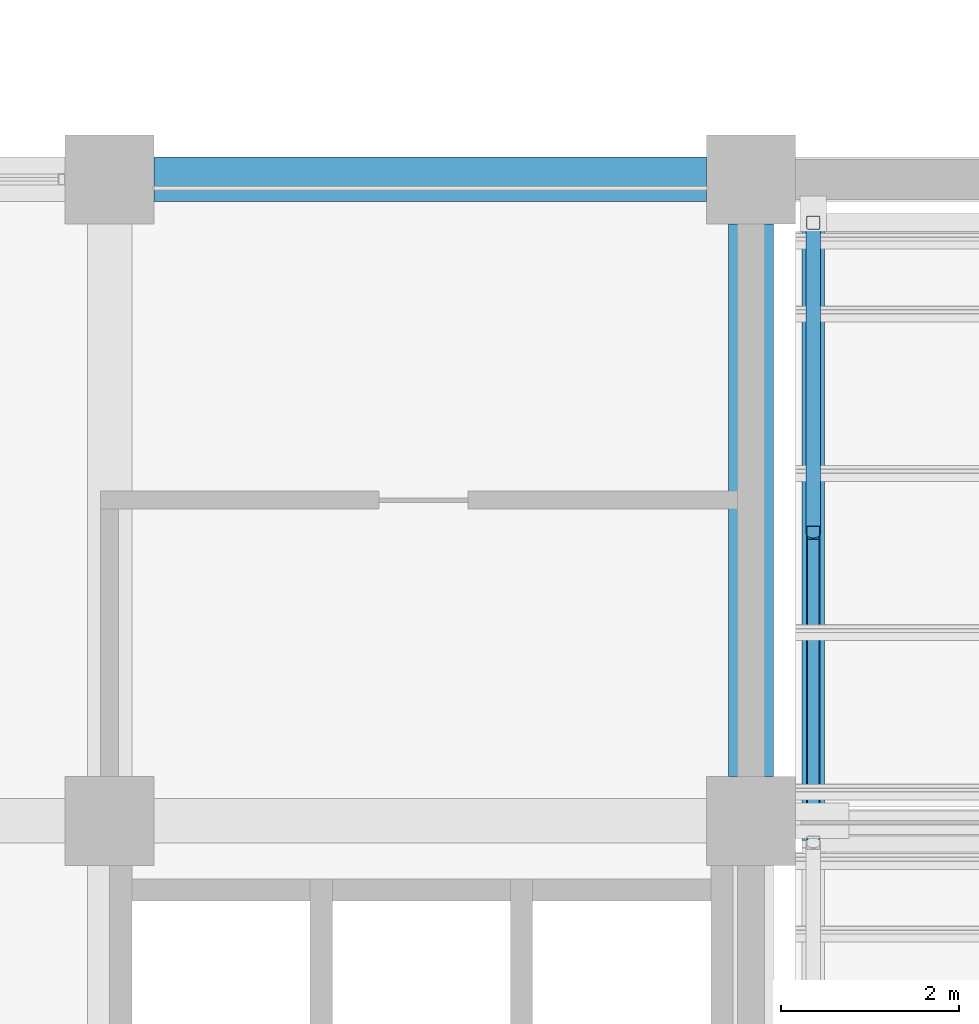
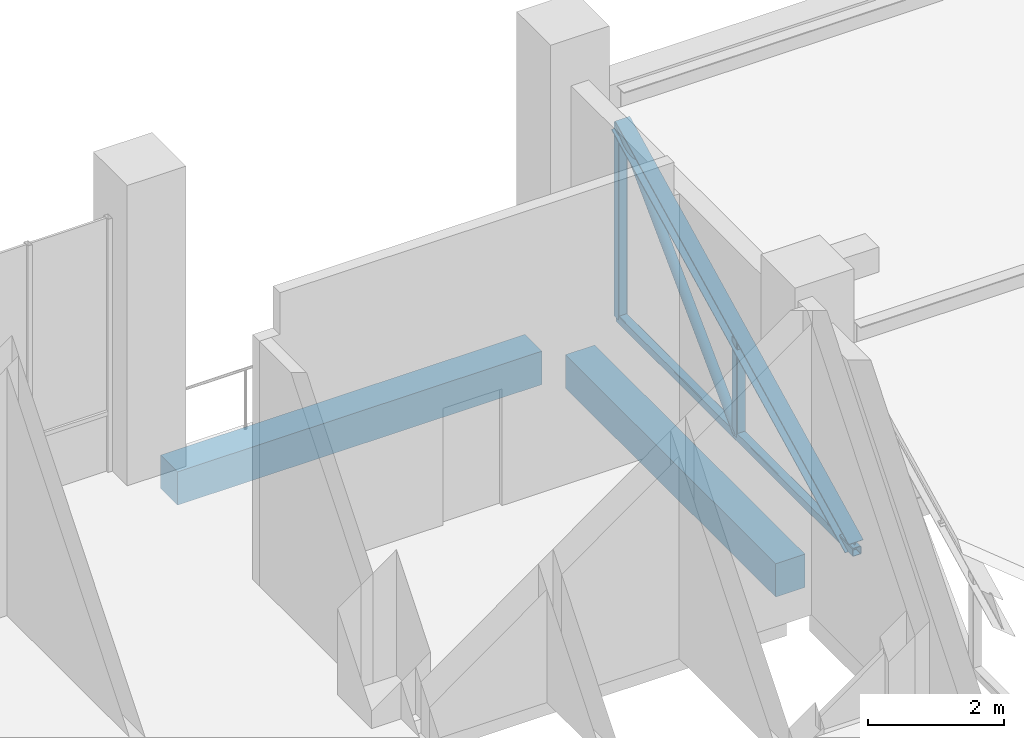
# One storey, part 8 of 83: 5 members, 2 beams.
"""IFC4 building model written with IfcOpenShell, lengths in metres."""

from ifc_helpers import new_model, si_unit, direction, frame, origin, origin_2d, place, context, subcontext, project, spatial, rectangle, hollow_rectangle, hollow_circle, i_section, extrude, material, material_profile, profile_set, type_object, element, save


model = new_model("IFC4")

# Units and contexts
model_context = context("Model", 3, precision=1e-05, world=origin(), true_north=direction((0.0, 1.0)))
body_context = subcontext(model_context, "Body", "Model", "MODEL_VIEW")
ifc_project = project(units=[si_unit("LENGTHUNIT", "METRE"), si_unit("AREAUNIT", "SQUARE_METRE"), si_unit("VOLUMEUNIT", "CUBIC_METRE"), si_unit("PLANEANGLEUNIT", "RADIAN"), si_unit("MASSUNIT", "GRAM", prefix="KILO")], contexts=[model_context])

# Site, building, storey
site_placement = place(None, origin())
site = spatial("IfcSite", under=ifc_project, at=site_placement, CompositionType="ELEMENT")
building_placement = place(site_placement, origin())
building = spatial("IfcBuilding", under=site, at=building_placement, Name="Silangan Lancet Faculty of Sciences", CompositionType="ELEMENT")
storey_placement = place(building_placement, frame((0.0, 0.0, 11.39990234375)))
storey = spatial("IfcBuildingStorey", under=building, at=storey_placement, Name="L02", CompositionType="ELEMENT", Elevation=11.39990234375)

# Beams
ifc_material_1 = material(Name="Concrete C40/50", Category="concrete")
ifc_material_profile_1 = material_profile(ifc_material_1, rectangle(XDim=0.5, YDim=0.60009765625, at=origin_2d()), Name="RC 500x600")
ifc_profile_set_1 = profile_set([ifc_material_profile_1], Name="Concrete C40/50")
beam_type = type_object("IfcBeamType", Name="BEAM RC 500x600", PredefinedType="BEAM", material=ifc_profile_set_1)
beam_1_placement = place(storey_placement, frame((22.10009765625, 21.60009765625, -0.5498046875), z_axis=(1.0, 0.0, 0.0), x_axis=(0.0, 1.0, 0.0)))
element("IfcBeam", 1, at=beam_1_placement, inside=storey, type_object=beam_type, Name="BM-L02-4D-5D", PredefinedType="BEAM", context=body_context, shape_type="SweptSolid", body=[
    extrude(rectangle(XDim=0.5, YDim=0.60009765625, at=origin_2d()), origin(), (0.0, 0.0, 1.0), 6.199951171875),
])
beam_2_placement = place(storey_placement, frame((28.800048828125, 14.89990234375, -0.5498046875), z_axis=(0.0, 1.0, 0.0), x_axis=(-1.0, 0.0, 0.0)))
element("IfcBeam", 2, at=beam_2_placement, inside=storey, type_object=beam_type, Name="BM-L02-5C-5D", PredefinedType="BEAM", context=body_context, shape_type="SweptSolid", body=[
    extrude(rectangle(XDim=0.5, YDim=0.60009765625, at=origin_2d()), origin(), (0.0, 0.0, 1.0), 6.2001953125),
])

# Members
ifc_material_2 = material(Name="Steel STKR400", Category="steel")
ifc_material_profile_2 = material_profile(ifc_material_2, hollow_rectangle(XDim=0.14990234375, YDim=0.14990234375, WallThickness=0.009033203125, InnerFilletRadius=0.009033203125, OuterFilletRadius=0.01806640625, at=origin_2d()), Name="SHS 150x150x9.0")
ifc_profile_set_2 = profile_set([ifc_material_profile_2], Name="Steel STKR400")
member_type_1 = type_object("IfcMemberType", Name="Truss bottom chord SHS 150x150x9.0", PredefinedType="CHORD", material=ifc_profile_set_2)
member_1_placement = place(storey_placement, frame((29.5, 14.1533203125, 0.09521484375), z_axis=(0.0, 1.0, 0.0), x_axis=(-1.0, 0.0, 0.0)))
element("IfcMember", 3, at=member_1_placement, inside=storey, type_object=member_type_1, Name="Truss 1 bottom chord 3", PredefinedType="CHORD", context=body_context, shape_type="SweptSolid", body=[
    extrude(hollow_rectangle(XDim=0.14990234375, YDim=0.14990234375, WallThickness=0.009033203125, InnerFilletRadius=0.009033203125, OuterFilletRadius=0.01806640625, at=origin_2d()), origin(), (0.0, 0.0, 1.0), 6.961669921875),
])
ifc_material_3 = material(Name="Steel STK400", Category="steel")
ifc_material_profile_3 = material_profile(ifc_material_3, hollow_circle(Radius=0.08251953125, WallThickness=0.0048828125, at=origin_2d()), Name="CHS 165.2x5.0")
ifc_profile_set_3 = profile_set([ifc_material_profile_3], Name="Steel STK400")
member_type_2 = type_object("IfcMemberType", Name="Truss diagonal CHS 165.2x5.0", PredefinedType="BRACE", material=ifc_profile_set_3)
member_2_placement = place(storey_placement, frame((29.5, 17.63427734375, 0.09521484375), z_axis=(0.0, 0.707106781187, 0.707106781187), x_axis=(-1.0, 0.0, 0.0)))
element("IfcMember", 4, at=member_2_placement, inside=storey, type_object=member_type_2, Name="Truss 1 diagonal 3", PredefinedType="BRACE", context=body_context, shape_type="SweptSolid", body=[
    extrude(hollow_circle(Radius=0.08251953125, WallThickness=0.0048828125, at=origin_2d()), origin(), (0.0, 0.0, 1.0), 4.92236328125),
])
ifc_material_4 = material(Name="Steel STKR400", Category="steel")
ifc_material_profile_4 = material_profile(ifc_material_4, hollow_rectangle(XDim=0.14990234375, YDim=0.14990234375, WallThickness=0.006103515625, InnerFilletRadius=0.006103515625, OuterFilletRadius=0.011962890625, at=origin_2d()), Name="SHS 150x150x6.0")
ifc_profile_set_4 = profile_set([ifc_material_profile_4], Name="Steel STKR400")
member_type_3 = type_object("IfcMemberType", Name="Truss post SHS 150x150x6.0", PredefinedType="POST", material=ifc_profile_set_4)
member_3_placement = place(storey_placement, frame((29.5, 21.114990234375, 0.09521484375), z_axis=(0.0, 0.0, 1.0), x_axis=(1.0, 0.0, 0.0)))
element("IfcMember", 5, at=member_3_placement, inside=storey, type_object=member_type_3, Name="Truss 1 riser post 3", PredefinedType="POST", context=body_context, shape_type="SweptSolid", body=[
    extrude(hollow_rectangle(XDim=0.14990234375, YDim=0.14990234375, WallThickness=0.006103515625, InnerFilletRadius=0.006103515625, OuterFilletRadius=0.011962890625, at=origin_2d()), origin(), (0.0, 0.0, 1.0), 3.480712890625),
])
member_4_placement = place(storey_placement, frame((29.5, 17.63427734375, 0.09521484375), z_axis=(0.0, 0.0, 1.0), x_axis=(1.0, 0.0, 0.0)))
element("IfcMember", 6, at=member_4_placement, inside=storey, type_object=member_type_3, Name="Truss 1 mid post 3", PredefinedType="POST", context=body_context, shape_type="SweptSolid", body=[
    extrude(hollow_rectangle(XDim=0.14990234375, YDim=0.14990234375, WallThickness=0.006103515625, InnerFilletRadius=0.006103515625, OuterFilletRadius=0.011962890625, at=origin_2d()), origin(), (0.0, 0.0, 1.0), 1.740234375),
])
ifc_material_5 = material(Name="Steel SS400", Category="steel")
ifc_material_profile_5 = material_profile(ifc_material_5, i_section(OverallWidth=0.25, OverallDepth=0.25, WebThickness=0.009033203125, FlangeThickness=0.013916015625, FilletRadius=0.01611328125, at=origin_2d()), Name="H 250x250x9x14")
ifc_profile_set_5 = profile_set([ifc_material_profile_5], Name="Steel SS400")
member_type_4 = type_object("IfcMemberType", Name="Truss top chord H 250x250x9x14", PredefinedType="CHORD", material=ifc_profile_set_5)
member_5_placement = place(storey_placement, frame((29.5, 14.23388671875, 0.13525390625), z_axis=(0.0, 0.894420844124, 0.447226289027), x_axis=(-1.0, 0.0, 0.0)))
element("IfcMember", 7, at=member_5_placement, inside=storey, type_object=member_type_4, Name="Truss 1 top chord 3", PredefinedType="CHORD", context=body_context, shape_type="SweptSolid", body=[
    extrude(i_section(OverallWidth=0.25, OverallDepth=0.25, WebThickness=0.009033203125, FlangeThickness=0.013916015625, FilletRadius=0.01611328125, at=origin_2d()), origin(), (0.0, 0.0, 1.0), 7.693359375),
])

save(model, "model.ifc")
